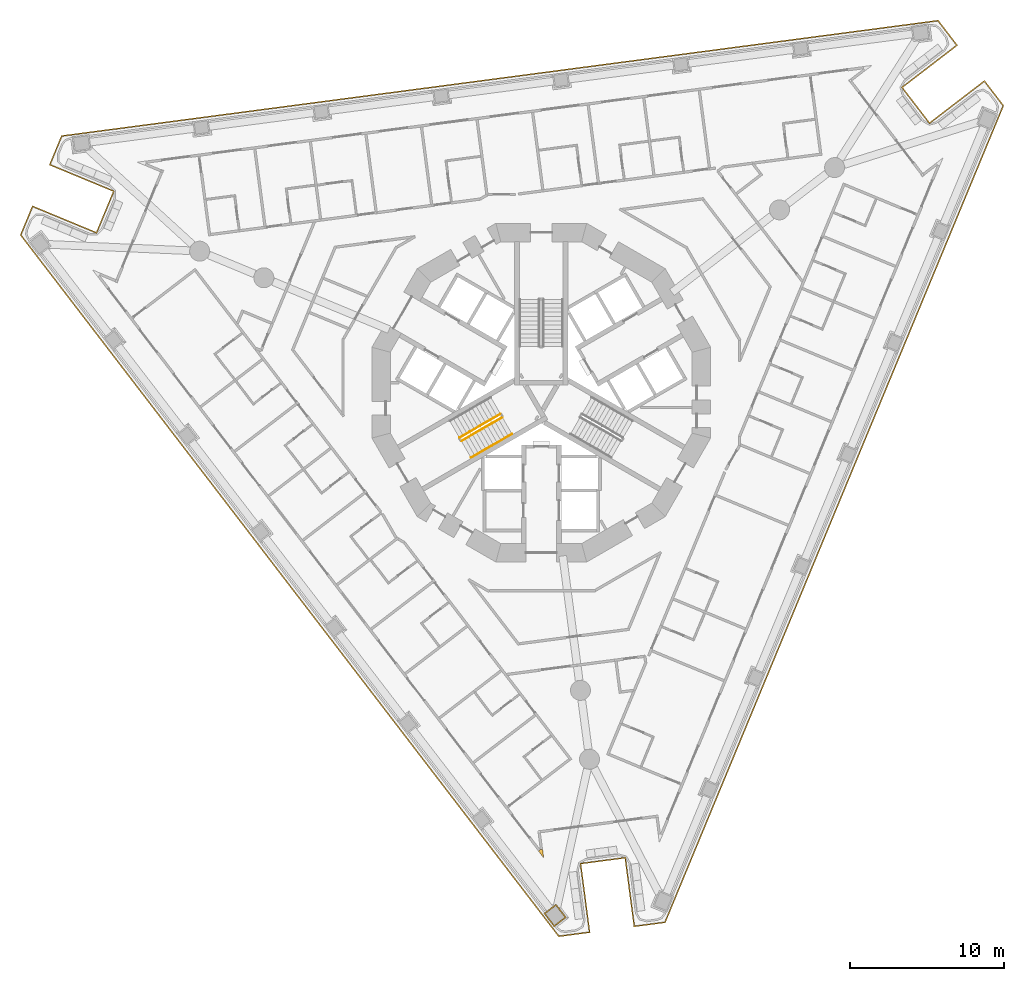
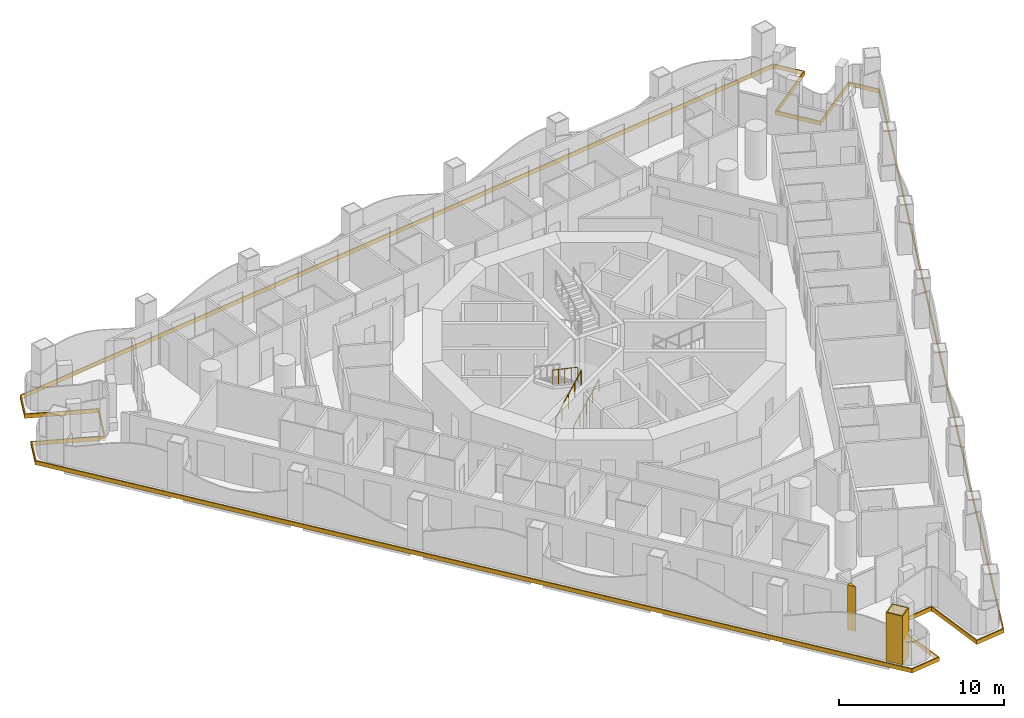
# One storey, part 13 of 19: 4 railings, 3 coverings.
"""IFC4 building model written with IfcOpenShell, lengths in metres."""

import ifcopenshell
import ifcopenshell.guid

model = None  # the IFC model being written
_history = None  # IfcOwnerHistory: only IFC2X3 demands one
_inside = {}  # id of a spatial element -> (the spatial element, [elements in it])
_under = {}  # id of a project, library or spatial element -> (it, [spatial elements below it])
_declared = {}  # id of a project -> (the project, [libraries it declares])
_typed = {}  # id of a type object -> (the type object, [elements of that type])
_made_of = {}  # id of a material, layer set ... -> (it, [elements and type objects made of it])


def new_model(schema):
    """Start an empty IFC model of exactly this schema.

    Asked for "IFC4X3", IfcOpenShell would pick the latest addendum, in which some entities
    have other attributes; the version numbers below select the first issue.
    IFC2X3 requires an IfcOwnerHistory on every rooted entity: one is made here for all.
    """
    global model, _history
    if schema == "IFC4X3":
        model = ifcopenshell.file(schema_version=(4, 3, 0, 0))
    else:
        model = ifcopenshell.file(schema=schema)
    _inside.clear()
    _under.clear()
    _declared.clear()
    _typed.clear()
    _made_of.clear()
    _history = None
    if model.schema == "IFC2X3":
        org = make("IfcOrganization", Name="unknown")
        user = make(
            "IfcPersonAndOrganization",
            ThePerson=make("IfcPerson", FamilyName="unknown"),
            TheOrganization=org,
        )
        app = make(
            "IfcApplication",
            ApplicationDeveloper=org,
            Version="unknown",
            ApplicationFullName="unknown",
            ApplicationIdentifier="unknown",
        )
        _history = make(
            "IfcOwnerHistory",
            OwningUser=user,
            OwningApplication=app,
            ChangeAction="ADDED",
            CreationDate=0,
        )
    return model


def make(cls, **values):
    """One entity of the class cls with the attributes given. An attribute that is None is left unset."""
    return model.create_entity(
        cls, **{name: value for name, value in values.items() if value is not None}
    )


def rooted(cls, **values):
    """An entity with a GlobalId (a new one), such as an element, a storey or a relation."""
    return make(cls, GlobalId=ifcopenshell.guid.new(), OwnerHistory=_history, **values)


def si_unit(unit_type, name, prefix=None):
    """IfcSIUnit, for example si_unit("LENGTHUNIT", "METRE", prefix="MILLI")."""
    return make("IfcSIUnit", UnitType=unit_type, Prefix=prefix, Name=name)


def assignment(units):
    """IfcUnitAssignment: the units of a project."""
    return None if units is None else make("IfcUnitAssignment", Units=units)


def point(xyz):
    """IfcCartesianPoint."""
    return None if xyz is None else make("IfcCartesianPoint", Coordinates=xyz)


def direction(xyz):
    """IfcDirection."""
    return None if xyz is None else make("IfcDirection", DirectionRatios=xyz)


def frame(location, z_axis=None, x_axis=None):
    """IfcAxis2Placement3D, a coordinate frame: its origin and axes. An axis left out is left unset."""
    return make(
        "IfcAxis2Placement3D",
        Location=point(location),
        Axis=direction(z_axis),
        RefDirection=direction(x_axis),
    )


def frame_2d(location, x_axis=None):
    """IfcAxis2Placement2D, a coordinate frame in the plane: its origin and x axis."""
    return make(
        "IfcAxis2Placement2D", Location=point(location), RefDirection=direction(x_axis)
    )


def origin():
    """The frame at (0, 0, 0) with its axes left unset."""
    return frame((0.0, 0.0, 0.0))


def origin_2d():
    """The frame at (0, 0) in the plane with its x axis left unset."""
    return frame_2d((0.0, 0.0))


def place(relative_to, where):
    """IfcLocalPlacement: puts the frame where relative to a parent placement (None: the world)."""
    return make(
        "IfcLocalPlacement", PlacementRelTo=relative_to, RelativePlacement=where
    )


def context(
    kind, dimensions, precision=None, world=None, true_north=None, identifier=None
):
    """IfcGeometricRepresentationContext, for example the 3D "Model" context."""
    return make(
        "IfcGeometricRepresentationContext",
        ContextIdentifier=identifier,
        ContextType=kind,
        CoordinateSpaceDimension=dimensions,
        Precision=precision,
        WorldCoordinateSystem=world,
        TrueNorth=true_north,
    )


def subcontext(parent, identifier, kind, view, scale=None):
    """IfcGeometricRepresentationSubContext, for example "Body" below "Model"."""
    return make(
        "IfcGeometricRepresentationSubContext",
        ContextIdentifier=identifier,
        ContextType=kind,
        ParentContext=parent,
        TargetScale=scale,
        TargetView=view,
    )


def project(units=None, contexts=None):
    """IfcProject with its units and contexts."""
    return rooted(
        "IfcProject",
        Name="project",
        RepresentationContexts=contexts,
        UnitsInContext=assignment(units),
    )


def spatial(cls, under=None, at=None, **own):
    """A site, building, storey or space (cls), placed at a placement, below another one or the project."""
    s = rooted(cls, ObjectPlacement=at, **own)
    if under is not None:
        _under.setdefault(under.id(), (under, []))[1].append(s)
    return s


def polyline(points):
    """IfcPolyline through the points."""
    return make("IfcPolyline", Points=[point(p) for p in points])


def profile(cls, at=None, kind="AREA", **sizes):
    """A parametric profile (cls). Its sizes go by their IFC names, for example OverallWidth=200.0."""
    return make(cls, ProfileType=kind, Position=at, **sizes)


def circle(**sizes):
    """IfcCircleProfileDef."""
    return profile("IfcCircleProfileDef", **sizes)


def outline(outer, holes=None, kind="AREA"):
    """IfcArbitraryClosedProfileDef: a profile drawn as a closed curve; with holes, ...WithVoids."""
    if holes is None:
        return make("IfcArbitraryClosedProfileDef", ProfileType=kind, OuterCurve=outer)
    return make(
        "IfcArbitraryProfileDefWithVoids",
        ProfileType=kind,
        OuterCurve=outer,
        InnerCurves=holes,
    )


def extrude(swept, where, along, depth):
    """IfcExtrudedAreaSolid: the profile swept, set in the frame where, extruded along a direction by depth."""
    return make(
        "IfcExtrudedAreaSolid",
        SweptArea=swept,
        Position=where,
        ExtrudedDirection=direction(along),
        Depth=depth,
    )


def shape(context_of_items, identifier, shape_type, items):
    """IfcShapeRepresentation: the items that make up one representation, for example the "Body"."""
    return make(
        "IfcShapeRepresentation",
        ContextOfItems=context_of_items,
        RepresentationIdentifier=identifier,
        RepresentationType=shape_type,
        Items=items,
    )


def material(Name=None, Category=None):
    """IfcMaterial."""
    return make("IfcMaterial", Name=Name, Category=Category)


def layer(
    of_material, thickness, ventilated=None, Name=None, Category=None, Priority=None
):
    """IfcMaterialLayer: one layer of a wall or slab, of a material (None: an air gap)."""
    return make(
        "IfcMaterialLayer",
        Material=of_material,
        LayerThickness=thickness,
        IsVentilated=ventilated,
        Name=Name,
        Category=Category,
        Priority=Priority,
    )


def layer_set(layers, Name=None):
    """IfcMaterialLayerSet."""
    return make("IfcMaterialLayerSet", MaterialLayers=layers, LayerSetName=Name)


def made_of(thing, what):
    """Note that an element or type object is made of a material, layer set ...; save() writes the relation."""
    if what is not None:
        _made_of.setdefault(what.id(), (what, []))[1].append(thing)
    return thing


def type_object(cls, material=None, **own):
    """A type object (cls), such as IfcWallType, which elements share."""
    return made_of(rooted(cls, **own), material)


def element(
    cls,
    number,
    at=None,
    inside=None,
    cuts=None,
    type_object=None,
    material=None,
    context=None,
    identifier="Body",
    shape_type=None,
    held_by="IfcProductDefinitionShape",
    body=None,
    shapes=None,
    **own,
):
    """One element of the class cls, such as IfcWall. Its Tag is "e" and its number.

    at: its placement. inside: the storey or other place that contains it. cuts: it is an
    opening in that element (IfcRelVoidsElement). A single representation is given by context,
    identifier, shape_type and body (its items); several are given by shapes. held_by: the class
    of the entity that holds the representations. save() writes the other relations.
    """
    e = rooted(cls, Tag="e%d" % number, ObjectPlacement=at, **own)
    if body is not None:
        shapes = [shape(context, identifier, shape_type, body)]
    if shapes is not None:
        e.Representation = make(held_by, Representations=shapes)
    if inside is not None:
        _inside.setdefault(inside.id(), (inside, []))[1].append(e)
    if cuts is not None:
        rooted(
            "IfcRelVoidsElement", RelatingBuildingElement=cuts, RelatedOpeningElement=e
        )
    if type_object is not None:
        _typed.setdefault(type_object.id(), (type_object, []))[1].append(e)
    return made_of(e, material)


def aggregate(whole, parts):
    """IfcRelAggregates: a whole, such as a stair, and the parts it consists of."""
    return rooted("IfcRelAggregates", RelatingObject=whole, RelatedObjects=parts)


def save(model, path):
    """Write the relations noted so far, then the file.

    IfcRelAggregates (storeys below a building ...), IfcRelContainedInSpatialStructure (elements
    in a storey), IfcRelDefinesByType, IfcRelAssociatesMaterial and IfcRelDeclares: one each for
    every whole, place, type object, material and project.
    """
    for whole, parts in _under.values():
        aggregate(whole, parts)
    for where, things in _inside.values():
        rooted(
            "IfcRelContainedInSpatialStructure",
            RelatedElements=things,
            RelatingStructure=where,
        )
    for kind, things in _typed.values():
        rooted("IfcRelDefinesByType", RelatedObjects=things, RelatingType=kind)
    for what, things in _made_of.values():
        rooted("IfcRelAssociatesMaterial", RelatedObjects=things, RelatingMaterial=what)
    for by, libraries in _declared.values():
        rooted("IfcRelDeclares", RelatingContext=by, RelatedDefinitions=libraries)
    model.write(path)


model = new_model("IFC4")

# Units and contexts
model_context = context("Model", 3, precision=1e-05, world=origin(), true_north=direction((0.0, 1.0)))
body_context = subcontext(model_context, "Body", "Model", "MODEL_VIEW")
ifc_project = project(units=[si_unit("LENGTHUNIT", "METRE"), si_unit("AREAUNIT", "SQUARE_METRE"), si_unit("VOLUMEUNIT", "CUBIC_METRE"), si_unit("PLANEANGLEUNIT", "RADIAN"), si_unit("MASSUNIT", "GRAM", prefix="KILO")], contexts=[model_context])

# Site, building, storey
site_placement = place(None, origin())
site = spatial("IfcSite", under=ifc_project, at=site_placement, CompositionType="ELEMENT")
building_placement = place(site_placement, origin())
building = spatial("IfcBuilding", under=site, at=building_placement, Name="Trine Commons Tower", CompositionType="ELEMENT")
storey_placement = place(building_placement, frame((0.0, 0.0, 54.0)))
storey = spatial("IfcBuildingStorey", under=building, at=storey_placement, Name="L12", CompositionType="ELEMENT", Elevation=54.0)

# Coverings
ifc_material_1 = material(Name="Aluminium-framed insulated wall panel", Category="aluminium")
ifc_layer_1 = layer(ifc_material_1, 0.14990234375)
ifc_layer_set_1 = layer_set([ifc_layer_1], Name="Aluminium-framed insulated wall panel")
covering_type_1 = type_object("IfcCoveringType", Name="Glazing corner post, aluminium", PredefinedType="CLADDING", material=ifc_layer_set_1)
covering_1_placement = place(storey_placement, origin())
element("IfcCovering", 1, at=covering_1_placement, inside=storey, type_object=covering_type_1, Name="Glazing corner post 2-12", PredefinedType="CLADDING", context=body_context, shape_type="SweptSolid", body=[
    extrude(outline(polyline([(79.818603515625, 32.697021484375), (80.159423828125, 32.2529296875), (80.086181640625, 32.80810546875), (79.9375, 32.788330078125), (79.818603515625, 32.697021484375)])), origin(), (0.0, 0.0, 1.0), 3.300048828125),
])
ifc_material_2 = material(Name="Limestone, honed", Category="masonry")
ifc_layer_2 = layer(ifc_material_2, 0.074951171875)
ifc_layer_set_2 = layer_set([ifc_layer_2], Name="Limestone, honed")
covering_type_2 = type_object("IfcCoveringType", Name="Limestone column cladding 75", PredefinedType="CLADDING", material=ifc_layer_set_2)
covering_2_placement = place(storey_placement, origin())
element("IfcCovering", 2, at=covering_2_placement, inside=storey, type_object=covering_type_2, Name="Limestone pier cladding 2-01", PredefinedType="CLADDING", context=body_context, shape_type="SweptSolid", body=[
    extrude(outline(polyline([(80.96142578125, 29.2529296875), (80.16796875, 28.644287109375), (80.837646484375, 27.771484375), (81.631103515625, 28.38037109375), (80.96142578125, 29.2529296875)]), holes=[polyline([(80.947509765625, 29.14794921875), (80.273193359375, 28.63037109375), (80.8515625, 27.876708984375), (81.52587890625, 28.394287109375), (80.947509765625, 29.14794921875)])]), origin(), (0.0, 0.0, 1.0), 3.60009765625),
])
ifc_layer_3 = layer(ifc_material_2, 0.074951171875)
ifc_layer_set_3 = layer_set([ifc_layer_3], Name="Limestone, honed")
covering_type_3 = type_object("IfcCoveringType", Name="Limestone spandrel panel 75", PredefinedType="CLADDING", material=ifc_layer_set_3)
covering_3_placement = place(storey_placement, frame((0.0, 0.0, -0.300048828125)))
element("IfcCovering", 3, at=covering_3_placement, inside=storey, type_object=covering_type_3, Name="Limestone spandrel panel 2-01", PredefinedType="CLADDING", context=body_context, shape_type="SweptSolid", body=[
    extrude(outline(polyline([(85.423583984375, 32.220458984375), (86.010986328125, 27.7587890625), (88.07568359375, 28.03076171875), (110.083740234375, 81.1630859375), (108.816162109375, 82.815185546875), (105.24609375, 80.07568359375), (103.510986328125, 82.3369140625), (107.081298828125, 85.076416015625), (105.8134765625, 86.728515625), (48.79541015625, 79.2216796875), (47.998291015625, 77.2978515625), (52.156005859375, 75.57568359375), (51.065185546875, 72.94287109375), (46.90771484375, 74.664794921875), (46.11083984375, 72.740966796875), (81.120849609375, 27.114990234375), (83.185302734375, 27.386962890625), (82.59814453125, 31.848388671875), (85.423583984375, 32.220458984375)]), holes=[polyline([(108.80224609375, 82.710205078125), (109.998046875, 81.15185546875), (88.02294921875, 28.099365234375), (86.07568359375, 27.843017578125), (85.48828125, 32.304443359375), (82.513916015625, 31.912841796875), (83.101318359375, 27.451416015625), (81.154052734375, 27.195068359375), (46.19677734375, 72.752197265625), (46.948486328125, 74.56689453125), (51.105712890625, 72.8447265625), (52.25390625, 75.616455078125), (48.096435546875, 77.33837890625), (48.847900390625, 79.153076171875), (105.780517578125, 86.6484375), (106.97607421875, 85.090087890625), (103.406005859375, 82.3505859375), (105.232177734375, 79.970703125), (108.80224609375, 82.710205078125)])]), origin(), (0.0, 0.0, 1.0), 0.300048828125),
])

# Railings
ifc_material_3 = material(Name="Stainless steel balustrade", Category="steel")
railing_type_1 = type_object("IfcRailingType", Name="Stair guard, steel balustrade 1100", PredefinedType="GUARDRAIL", material=ifc_material_3)
railing_1_placement = place(storey_placement, frame((74.80517578125, 59.3564453125, 0.14990234375)))
element("IfcRailing", 4, at=railing_1_placement, inside=storey, type_object=railing_type_1, Name="L12 ST2A stair guard 1", PredefinedType="GUARDRAIL", context=body_context, shape_type="SweptSolid", body=[
    extrude(circle(Radius=0.02392578125, at=origin_2d()), frame((0.0, 0.0, 1.076171875), z_axis=(0.763379768245, 0.440728498818, 0.472239049384), x_axis=(-0.499992328818, 0.866029832698, 0.0)), (0.0, 0.0, 1.0), 3.494384765625),
    extrude(circle(Radius=0.02099609375, at=origin_2d()), origin(), (0.0, 0.0, 1.0), 1.052001953125),
    extrude(circle(Radius=0.02099609375, at=origin_2d()), frame((0.6669921875, 0.385009765625, 0.41259765625)), (0.0, 0.0, 1.0), 1.052001953125),
    extrude(circle(Radius=0.02099609375, at=origin_2d()), frame((1.333740234375, 0.77001953125, 0.8251953125)), (0.0, 0.0, 1.0), 1.052001953125),
    extrude(circle(Radius=0.02099609375, at=origin_2d()), frame((2.00048828125, 1.155029296875, 1.237548828125)), (0.0, 0.0, 1.0), 1.052001953125),
    extrude(circle(Radius=0.02099609375, at=origin_2d()), frame((2.66748046875, 1.5400390625, 1.650146484375)), (0.0, 0.0, 1.0), 1.052001953125),
])
railing_2_placement = place(storey_placement, frame((77.34765625, 61.113037109375, 1.949951171875)))
element("IfcRailing", 5, at=railing_2_placement, inside=storey, type_object=railing_type_1, Name="L12 ST2A stair guard 3", PredefinedType="GUARDRAIL", context=body_context, shape_type="SweptSolid", body=[
    extrude(circle(Radius=0.02392578125, at=origin_2d()), frame((0.0, 0.0, 1.076171875), z_axis=(-0.763379768245, -0.440728498818, 0.472239049384), x_axis=(0.499992328818, -0.866029832698, 0.0)), (0.0, 0.0, 1.0), 3.494384765625),
    extrude(circle(Radius=0.02099609375, at=origin_2d()), origin(), (0.0, 0.0, 1.0), 1.052001953125),
    extrude(circle(Radius=0.02099609375, at=origin_2d()), frame((-0.6669921875, -0.385009765625, 0.41259765625)), (0.0, 0.0, 1.0), 1.052001953125),
    extrude(circle(Radius=0.02099609375, at=origin_2d()), frame((-1.333740234375, -0.77001953125, 0.8251953125)), (0.0, 0.0, 1.0), 1.052001953125),
    extrude(circle(Radius=0.02099609375, at=origin_2d()), frame((-2.00048828125, -1.155029296875, 1.237548828125)), (0.0, 0.0, 1.0), 1.052001953125),
    extrude(circle(Radius=0.02099609375, at=origin_2d()), frame((-2.66748046875, -1.5400390625, 1.650146484375)), (0.0, 0.0, 1.0), 1.052001953125),
])
ifc_material_4 = material(Name="Stainless steel handrail", Category="steel")
railing_type_2 = type_object("IfcRailingType", Name="Stair handrail, steel 900", PredefinedType="HANDRAIL", material=ifc_material_4)
railing_3_placement = place(storey_placement, frame((75.43017578125, 58.27392578125, 0.14990234375)))
element("IfcRailing", 6, at=railing_3_placement, inside=storey, type_object=railing_type_2, Name="L12 ST2A stair handrail 1", PredefinedType="HANDRAIL", context=body_context, shape_type="SweptSolid", body=[
    extrude(circle(Radius=0.02099609375, at=origin_2d()), frame((0.0, 0.0, 0.87890625), z_axis=(0.763354580307, 0.440713956853, 0.472293333596), x_axis=(-0.499992328818, 0.866029832698, 0.0)), (0.0, 0.0, 1.0), 1.747314453125),
    extrude(circle(Radius=0.01513671875, at=origin_2d()), origin(), (0.0, 0.0, 1.0), 0.85791015625),
    extrude(circle(Radius=0.01513671875, at=origin_2d()), frame((0.6669921875, 0.385009765625, 0.41259765625)), (0.0, 0.0, 1.0), 0.85791015625),
    extrude(circle(Radius=0.01513671875, at=origin_2d()), frame((1.333740234375, 0.77001953125, 0.8251953125)), (0.0, 0.0, 1.0), 0.85791015625),
])
railing_4_placement = place(storey_placement, frame((76.763916015625, 59.0439453125, 0.97509765625)))
element("IfcRailing", 7, at=railing_4_placement, inside=storey, type_object=railing_type_2, Name="L12 ST2A stair handrail 2", PredefinedType="HANDRAIL", context=body_context, shape_type="SweptSolid", body=[
    extrude(circle(Radius=0.02099609375, at=origin_2d()), frame((0.0, 0.0, 0.87890625), z_axis=(0.76340495495, 0.440743040072, 0.472184759798), x_axis=(-0.499992328818, 0.866029832698, 0.0)), (0.0, 0.0, 1.0), 1.7470703125),
    extrude(circle(Radius=0.01513671875, at=origin_2d()), origin(), (0.0, 0.0, 1.0), 0.85791015625),
    extrude(circle(Radius=0.01513671875, at=origin_2d()), frame((0.6669921875, 0.385009765625, 0.41259765625)), (0.0, 0.0, 1.0), 0.85791015625),
    extrude(circle(Radius=0.01513671875, at=origin_2d()), frame((1.333740234375, 0.77001953125, 0.824951171875)), (0.0, 0.0, 1.0), 0.85791015625),
])

save(model, "model.ifc")
